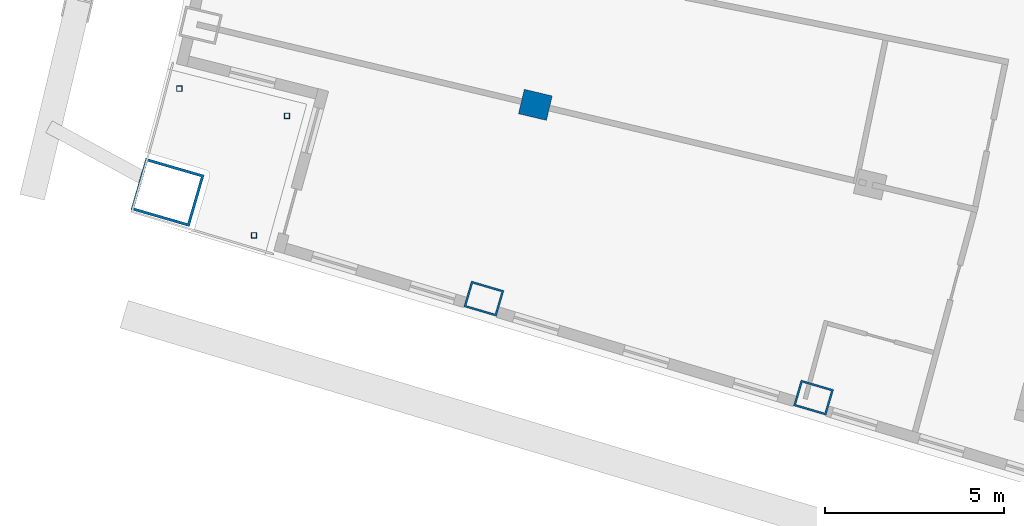
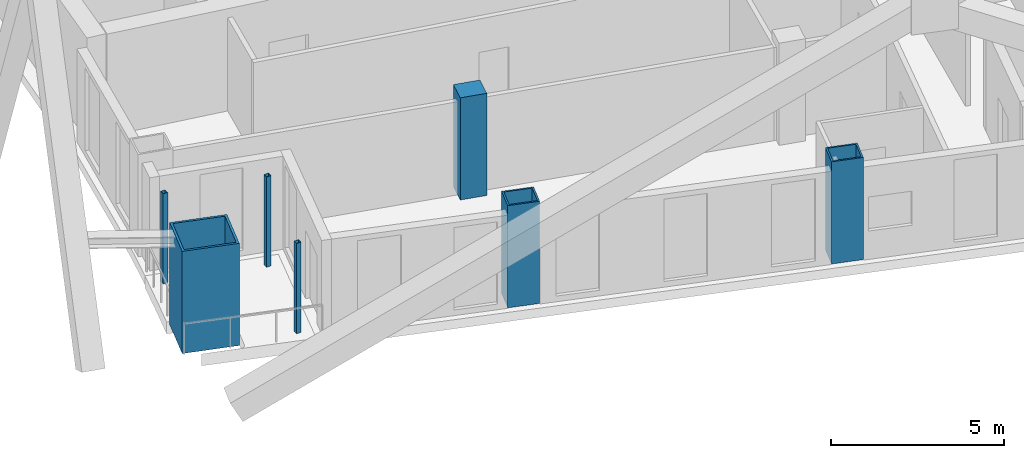
# One storey, part 1 of 20: 7 columns.
"""IFC4 building model written with IfcOpenShell, lengths in metres."""

from ifc_helpers import new_model, si_unit, direction, frame, origin, origin_2d, place, context, subcontext, project, spatial, rectangle, hollow_rectangle, extrude, material, material_profile, profile_set, type_object, element, save


model = new_model("IFC4")

# Units and contexts
model_context = context("Model", 3, precision=1e-05, world=origin(), true_north=direction((0.0, 1.0)))
body_context = subcontext(model_context, "Body", "Model", "MODEL_VIEW")
ifc_project = project(units=[si_unit("LENGTHUNIT", "METRE"), si_unit("AREAUNIT", "SQUARE_METRE"), si_unit("VOLUMEUNIT", "CUBIC_METRE"), si_unit("PLANEANGLEUNIT", "RADIAN"), si_unit("MASSUNIT", "GRAM", prefix="KILO")], contexts=[model_context])

# Site, building, storey
site_placement = place(None, origin())
site = spatial("IfcSite", under=ifc_project, at=site_placement, CompositionType="ELEMENT")
building_placement = place(site_placement, origin())
building = spatial("IfcBuilding", under=site, at=building_placement, Name="Alderwake Tower", CompositionType="ELEMENT")
storey_placement = place(building_placement, frame((0.0, 0.0, 189.199951171875)))
storey = spatial("IfcBuildingStorey", under=building, at=storey_placement, Name="L46", CompositionType="ELEMENT", Elevation=189.199951171875)

# Columns
ifc_material_1 = material(Name="Steel ASTM A572 Grade 50 concrete filled C70/85", Category="concrete")
ifc_material_profile_1 = material_profile(ifc_material_1, hollow_rectangle(XDim=0.75, YDim=0.949951171875, WallThickness=0.054931640625, at=origin_2d()), Name="BOX 950X750X55")
ifc_profile_set_1 = profile_set([ifc_material_profile_1], Name="Steel ASTM A572 Grade 50 concrete filled C70/85")
column_type_1 = type_object("IfcColumnType", Name="End column Z4", PredefinedType="COLUMN", material=ifc_profile_set_1)
for number, where, z_axis, x_axis, name in (
    (1, (21.885498046875, 31.03759765625, 0.0), (0.0, 0.0, 1.0), (0.282132160283, 0.95937554906, 0.0), "Column R02-C1"),
    (2, (31.080322265625, 28.27685546875, 0.0), (0.0, 0.0, 1.0), (0.282582549822, 0.959242984095, 0.0), "Column R02-C2"),
):
    element("IfcColumn", number, at=place(storey_placement, frame(where, z_axis=z_axis, x_axis=x_axis)), inside=storey, type_object=column_type_1, Name=name, PredefinedType="COLUMN", context=body_context, shape_type="SweptSolid", body=[
        extrude(hollow_rectangle(XDim=0.75, YDim=0.949951171875, WallThickness=0.054931640625, at=origin_2d()), origin(), (0.0, 0.0, 1.0), 3.60009765625),
    ])
ifc_material_2 = material(Name="Concrete C70/85", Category="concrete")
ifc_material_profile_2 = material_profile(ifc_material_2, rectangle(XDim=0.699951171875, YDim=0.800048828125, at=origin_2d()), Name="RC 800X700")
ifc_profile_set_2 = profile_set([ifc_material_profile_2], Name="Concrete C70/85")
column_type_2 = type_object("IfcColumnType", Name="Interior column Z4", PredefinedType="COLUMN", material=ifc_profile_set_2)
column_1_placement = place(storey_placement, frame((23.322021484375, 36.444091796875, 0.0), z_axis=(0.0, 0.0, 1.0), x_axis=(0.231221547198, 0.972901123502, 0.0)))
element("IfcColumn", 3, at=column_1_placement, inside=storey, type_object=column_type_2, Name="Column R03-C1", PredefinedType="COLUMN", context=body_context, shape_type="SweptSolid", body=[
    extrude(rectangle(XDim=0.699951171875, YDim=0.800048828125, at=origin_2d()), origin(), (0.0, 0.0, 1.0), 3.60009765625),
])
ifc_material_3 = material(Name="Steel ASTM A500 Grade C", Category="steel")
ifc_material_profile_3 = material_profile(ifc_material_3, hollow_rectangle(XDim=0.15234375, YDim=0.15234375, WallThickness=0.0087890625, at=origin_2d()), Name="HSS6X6X3/8")
ifc_profile_set_3 = profile_set([ifc_material_profile_3], Name="Steel ASTM A500 Grade C")
column_type_3 = type_object("IfcColumnType", Name="Light post HSS6X6X3/8", PredefinedType="COLUMN", material=ifc_profile_set_3)
for number, where, z_axis, x_axis, name in (
    (4, (13.3896484375, 36.896484375, 0.0), (0.0, 0.0, 1.0), (1.0, 0.0, 0.0), "Terrace post RS1"),
    (5, (15.47412109375, 32.805908203125, 0.0), (0.0, 0.0, 1.0), (1.0, 0.0, 0.0), "Terrace post RS2"),
    (6, (16.39501953125, 36.135986328125, 0.0), (0.0, 0.0, 1.0), (1.0, 0.0, 0.0), "Terrace post RS3"),
):
    element("IfcColumn", number, at=place(storey_placement, frame(where, z_axis=z_axis, x_axis=x_axis)), inside=storey, type_object=column_type_3, Name=name, PredefinedType="COLUMN", context=body_context, shape_type="SweptSolid", body=[
        extrude(hollow_rectangle(XDim=0.15234375, YDim=0.15234375, WallThickness=0.0087890625, at=origin_2d()), origin(), (0.0, 0.0, 1.0), 3.179931640625),
    ])
ifc_material_4 = material(Name="Steel ASTM A572 Grade 50 concrete filled C70/85", Category="concrete")
ifc_material_profile_4 = material_profile(ifc_material_4, hollow_rectangle(XDim=1.5, YDim=1.699951171875, WallThickness=0.074951171875, at=origin_2d()), Name="BOX 1700X1500X75")
ifc_profile_set_4 = profile_set([ifc_material_profile_4], Name="Steel ASTM A572 Grade 50 concrete filled C70/85")
column_type_4 = type_object("IfcColumnType", Name="Mega column Z4", PredefinedType="COLUMN", material=ifc_profile_set_4)
column_2_placement = place(storey_placement, frame((13.06298828125, 34.00244140625, 0.0), z_axis=(0.0, 0.0, 1.0), x_axis=(0.278612301868, 0.960403657452, 0.0)))
element("IfcColumn", 7, at=column_2_placement, inside=storey, type_object=column_type_4, Name="Column R02-C0", PredefinedType="COLUMN", context=body_context, shape_type="SweptSolid", body=[
    extrude(hollow_rectangle(XDim=1.5, YDim=1.699951171875, WallThickness=0.074951171875, at=origin_2d()), origin(), (0.0, 0.0, 1.0), 3.60009765625),
])

save(model, "model.ifc")
